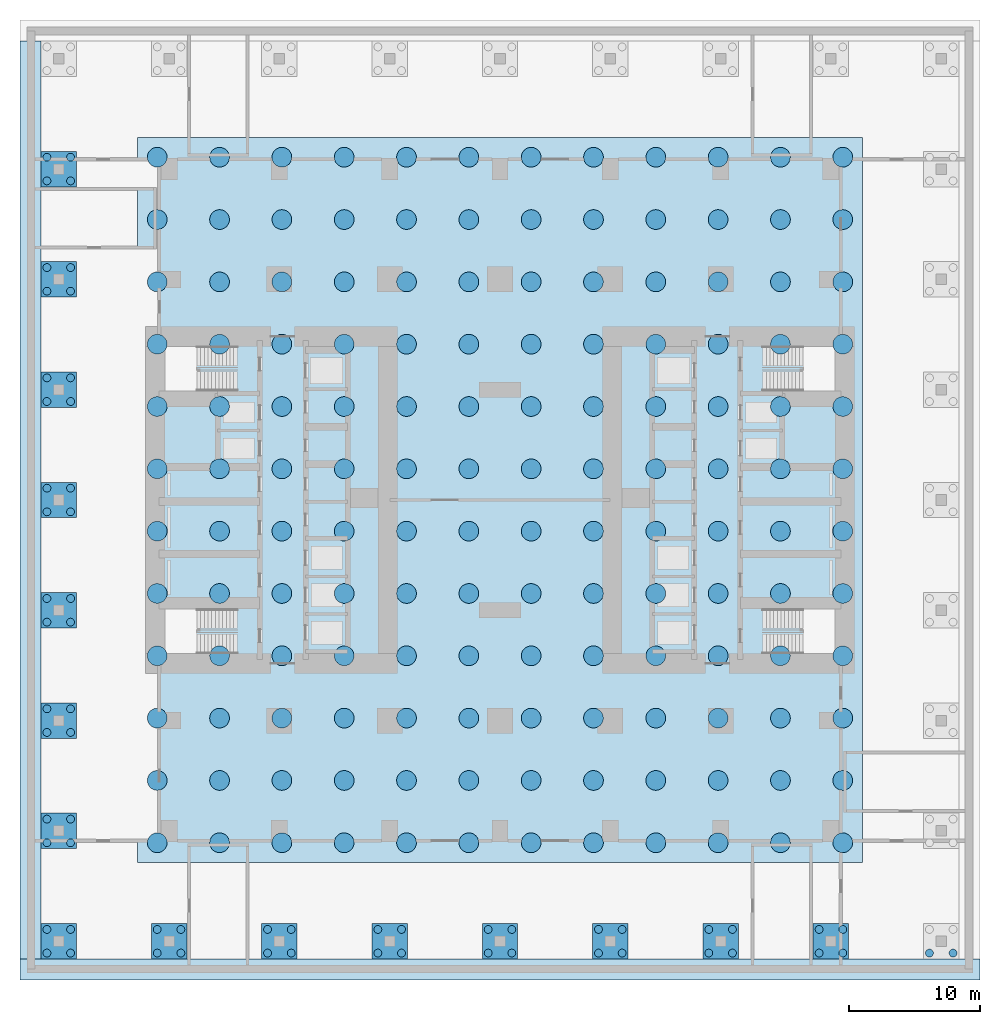
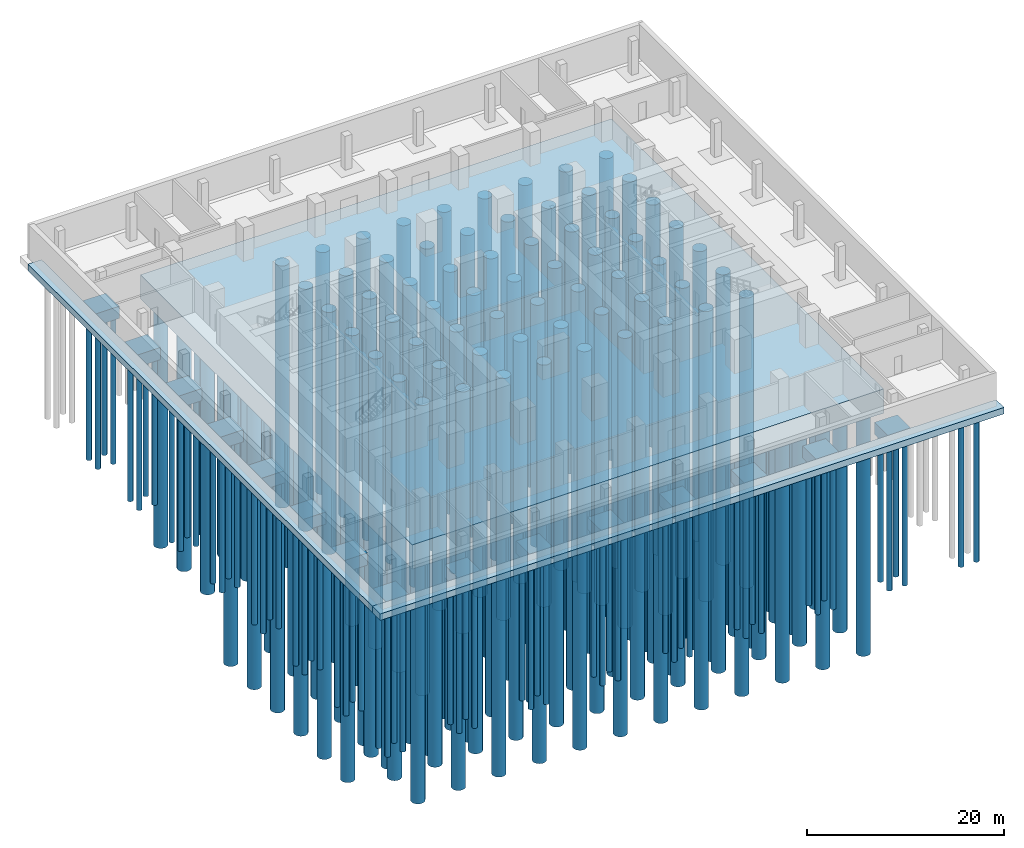
# One storey, part 1 of 11: 206 piles, 18 footings.
"""IFC4 building model written with IfcOpenShell, lengths in metres."""

from ifc_helpers import new_model, si_unit, direction, frame, origin, origin_2d, place, context, subcontext, project, spatial, polyline, circle, outline, extrude, material, type_object, element, save


model = new_model("IFC4")

# Units and contexts
model_context = context("Model", 3, precision=1e-05, world=origin(), true_north=direction((0.0, 1.0)))
body_context = subcontext(model_context, "Body", "Model", "MODEL_VIEW")
ifc_project = project(units=[si_unit("LENGTHUNIT", "METRE"), si_unit("AREAUNIT", "SQUARE_METRE"), si_unit("VOLUMEUNIT", "CUBIC_METRE"), si_unit("PLANEANGLEUNIT", "RADIAN"), si_unit("MASSUNIT", "GRAM", prefix="KILO")], contexts=[model_context])

# Site, building, storey
site_placement = place(None, origin())
site = spatial("IfcSite", under=ifc_project, at=site_placement, CompositionType="ELEMENT")
building_placement = place(site_placement, origin())
building = spatial("IfcBuilding", under=site, at=building_placement, Name="Claustro Exchange Tower", CompositionType="ELEMENT")
storey_placement = place(building_placement, frame((0.0, 0.0, -8.39990234375)))
storey = spatial("IfcBuildingStorey", under=building, at=storey_placement, Name="B2", CompositionType="ELEMENT", Elevation=-8.39990234375)

# Footings
ifc_material_1 = material(Name="Concrete HA-40 (C40/50)", Category="concrete")
footing_type_1 = type_object("IfcFootingType", Name="F1 piled raft 55200 square, 3000 deep", PredefinedType="PILE_CAP", material=ifc_material_1)
footing_1_placement = place(storey_placement, frame((0.0, 0.0, -3.0)))
element("IfcFooting", 1, at=footing_1_placement, inside=storey, type_object=footing_type_1, Name="Piled raft F1", PredefinedType="PILE_CAP", context=body_context, shape_type="SweptSolid", body=[
    extrude(outline(polyline([(52.800048828125, -2.39990234375), (52.800048828125, 52.800048828125), (-2.39990234375, 52.800048828125), (-2.39990234375, -2.39990234375), (52.800048828125, -2.39990234375)])), origin(), (0.0, 0.0, 1.0), 3.0),
])
ifc_material_2 = material(Name="Concrete HA-40 (C40/50)", Category="concrete")
footing_type_2 = type_object("IfcFootingType", Name="F2 pile cap 2700 x 2700 x 1500, four piles", PredefinedType="PILE_CAP", material=ifc_material_2)
footing_2_placement = place(storey_placement, frame((0.0, 0.0, -1.5)))
element("IfcFooting", 2, at=footing_2_placement, inside=storey, type_object=footing_type_2, Name="Pile cap F2 1+-8400/A+-8400", PredefinedType="PILE_CAP", context=body_context, shape_type="SweptSolid", body=[
    extrude(outline(polyline([(-7.050048828125, -9.75), (-7.050048828125, -7.050048828125), (-9.75, -7.050048828125), (-9.75, -9.75), (-7.050048828125, -9.75)])), origin(), (0.0, 0.0, 1.0), 1.5),
])
footing_3_placement = place(storey_placement, frame((0.0, 0.0, -1.5)))
element("IfcFooting", 3, at=footing_3_placement, inside=storey, type_object=footing_type_2, Name="Pile cap F2 1+-8400/A", PredefinedType="PILE_CAP", context=body_context, shape_type="SweptSolid", body=[
    extrude(outline(polyline([(-7.050048828125, -1.35009765625), (-7.050048828125, 1.35009765625), (-9.75, 1.35009765625), (-9.75, -1.35009765625), (-7.050048828125, -1.35009765625)])), origin(), (0.0, 0.0, 1.0), 1.5),
])
footing_4_placement = place(storey_placement, frame((0.0, 0.0, -1.5)))
element("IfcFooting", 4, at=footing_4_placement, inside=storey, type_object=footing_type_2, Name="Pile cap F2 1+-8400/B", PredefinedType="PILE_CAP", context=body_context, shape_type="SweptSolid", body=[
    extrude(outline(polyline([(-7.050048828125, 7.050048828125), (-7.050048828125, 9.75), (-9.75, 9.75), (-9.75, 7.050048828125), (-7.050048828125, 7.050048828125)])), origin(), (0.0, 0.0, 1.0), 1.5),
])
footing_5_placement = place(storey_placement, frame((0.0, 0.0, -1.5)))
element("IfcFooting", 5, at=footing_5_placement, inside=storey, type_object=footing_type_2, Name="Pile cap F2 1+-8400/C", PredefinedType="PILE_CAP", context=body_context, shape_type="SweptSolid", body=[
    extrude(outline(polyline([(-7.050048828125, 15.449951171875), (-7.050048828125, 18.14990234375), (-9.75, 18.14990234375), (-9.75, 15.449951171875), (-7.050048828125, 15.449951171875)])), origin(), (0.0, 0.0, 1.0), 1.5),
])
footing_6_placement = place(storey_placement, frame((0.0, 0.0, -1.5)))
element("IfcFooting", 6, at=footing_6_placement, inside=storey, type_object=footing_type_2, Name="Pile cap F2 1+-8400/D", PredefinedType="PILE_CAP", context=body_context, shape_type="SweptSolid", body=[
    extrude(outline(polyline([(-7.050048828125, 23.85009765625), (-7.050048828125, 26.550048828125), (-9.75, 26.550048828125), (-9.75, 23.85009765625), (-7.050048828125, 23.85009765625)])), origin(), (0.0, 0.0, 1.0), 1.5),
])
footing_7_placement = place(storey_placement, frame((0.0, 0.0, -1.5)))
element("IfcFooting", 7, at=footing_7_placement, inside=storey, type_object=footing_type_2, Name="Pile cap F2 1+-8400/E", PredefinedType="PILE_CAP", context=body_context, shape_type="SweptSolid", body=[
    extrude(outline(polyline([(-7.050048828125, 32.25), (-7.050048828125, 34.949951171875), (-9.75, 34.949951171875), (-9.75, 32.25), (-7.050048828125, 32.25)])), origin(), (0.0, 0.0, 1.0), 1.5),
])
footing_8_placement = place(storey_placement, frame((0.0, 0.0, -1.5)))
element("IfcFooting", 8, at=footing_8_placement, inside=storey, type_object=footing_type_2, Name="Pile cap F2 1+-8400/F", PredefinedType="PILE_CAP", context=body_context, shape_type="SweptSolid", body=[
    extrude(outline(polyline([(-7.050048828125, 40.64990234375), (-7.050048828125, 43.35009765625), (-9.75, 43.35009765625), (-9.75, 40.64990234375), (-7.050048828125, 40.64990234375)])), origin(), (0.0, 0.0, 1.0), 1.5),
])
footing_9_placement = place(storey_placement, frame((0.0, 0.0, -1.5)))
element("IfcFooting", 9, at=footing_9_placement, inside=storey, type_object=footing_type_2, Name="Pile cap F2 1+-8400/G", PredefinedType="PILE_CAP", context=body_context, shape_type="SweptSolid", body=[
    extrude(outline(polyline([(-7.050048828125, 49.050048828125), (-7.050048828125, 51.75), (-9.75, 51.75), (-9.75, 49.050048828125), (-7.050048828125, 49.050048828125)])), origin(), (0.0, 0.0, 1.0), 1.5),
])
footing_10_placement = place(storey_placement, frame((0.0, 0.0, -1.5)))
element("IfcFooting", 10, at=footing_10_placement, inside=storey, type_object=footing_type_2, Name="Pile cap F2 1/A+-8400", PredefinedType="PILE_CAP", context=body_context, shape_type="SweptSolid", body=[
    extrude(outline(polyline([(1.35009765625, -9.75), (1.35009765625, -7.050048828125), (-1.35009765625, -7.050048828125), (-1.35009765625, -9.75), (1.35009765625, -9.75)])), origin(), (0.0, 0.0, 1.0), 1.5),
])
footing_11_placement = place(storey_placement, frame((0.0, 0.0, -1.5)))
element("IfcFooting", 11, at=footing_11_placement, inside=storey, type_object=footing_type_2, Name="Pile cap F2 2/A+-8400", PredefinedType="PILE_CAP", context=body_context, shape_type="SweptSolid", body=[
    extrude(outline(polyline([(9.75, -9.75), (9.75, -7.050048828125), (7.050048828125, -7.050048828125), (7.050048828125, -9.75), (9.75, -9.75)])), origin(), (0.0, 0.0, 1.0), 1.5),
])
footing_12_placement = place(storey_placement, frame((0.0, 0.0, -1.5)))
element("IfcFooting", 12, at=footing_12_placement, inside=storey, type_object=footing_type_2, Name="Pile cap F2 3/A+-8400", PredefinedType="PILE_CAP", context=body_context, shape_type="SweptSolid", body=[
    extrude(outline(polyline([(18.14990234375, -9.75), (18.14990234375, -7.050048828125), (15.449951171875, -7.050048828125), (15.449951171875, -9.75), (18.14990234375, -9.75)])), origin(), (0.0, 0.0, 1.0), 1.5),
])
footing_13_placement = place(storey_placement, frame((0.0, 0.0, -1.5)))
element("IfcFooting", 13, at=footing_13_placement, inside=storey, type_object=footing_type_2, Name="Pile cap F2 4/A+-8400", PredefinedType="PILE_CAP", context=body_context, shape_type="SweptSolid", body=[
    extrude(outline(polyline([(26.550048828125, -9.75), (26.550048828125, -7.050048828125), (23.85009765625, -7.050048828125), (23.85009765625, -9.75), (26.550048828125, -9.75)])), origin(), (0.0, 0.0, 1.0), 1.5),
])
footing_14_placement = place(storey_placement, frame((0.0, 0.0, -1.5)))
element("IfcFooting", 14, at=footing_14_placement, inside=storey, type_object=footing_type_2, Name="Pile cap F2 5/A+-8400", PredefinedType="PILE_CAP", context=body_context, shape_type="SweptSolid", body=[
    extrude(outline(polyline([(34.949951171875, -9.75), (34.949951171875, -7.050048828125), (32.25, -7.050048828125), (32.25, -9.75), (34.949951171875, -9.75)])), origin(), (0.0, 0.0, 1.0), 1.5),
])
footing_15_placement = place(storey_placement, frame((0.0, 0.0, -1.5)))
element("IfcFooting", 15, at=footing_15_placement, inside=storey, type_object=footing_type_2, Name="Pile cap F2 6/A+-8400", PredefinedType="PILE_CAP", context=body_context, shape_type="SweptSolid", body=[
    extrude(outline(polyline([(43.35009765625, -9.75), (43.35009765625, -7.050048828125), (40.64990234375, -7.050048828125), (40.64990234375, -9.75), (43.35009765625, -9.75)])), origin(), (0.0, 0.0, 1.0), 1.5),
])
footing_16_placement = place(storey_placement, frame((0.0, 0.0, -1.5)))
element("IfcFooting", 16, at=footing_16_placement, inside=storey, type_object=footing_type_2, Name="Pile cap F2 7/A+-8400", PredefinedType="PILE_CAP", context=body_context, shape_type="SweptSolid", body=[
    extrude(outline(polyline([(51.75, -9.75), (51.75, -7.050048828125), (49.050048828125, -7.050048828125), (49.050048828125, -9.75), (51.75, -9.75)])), origin(), (0.0, 0.0, 1.0), 1.5),
])
ifc_material_3 = material(Name="Concrete HA-40 (C40/50)", Category="concrete")
footing_type_3 = type_object("IfcFootingType", Name="F3 strip footing 1600 wide, 800 deep", PredefinedType="STRIP_FOOTING", material=ifc_material_3)
footing_17_placement = place(storey_placement, frame((0.0, 0.0, -0.800048828125)))
element("IfcFooting", 17, at=footing_17_placement, inside=storey, type_object=footing_type_3, Name="Strip footing F3 S", PredefinedType="STRIP_FOOTING", context=body_context, shape_type="SweptSolid", body=[
    extrude(outline(polyline([(61.75, -11.35009765625), (61.75, -9.75), (-11.35009765625, -9.75), (-11.35009765625, -11.35009765625), (61.75, -11.35009765625)])), origin(), (0.0, 0.0, 1.0), 0.800048828125),
])
footing_18_placement = place(storey_placement, frame((0.0, 0.0, -0.800048828125)))
element("IfcFooting", 18, at=footing_18_placement, inside=storey, type_object=footing_type_3, Name="Strip footing F3 W", PredefinedType="STRIP_FOOTING", context=body_context, shape_type="SweptSolid", body=[
    extrude(outline(polyline([(-9.75, -9.75), (-9.75, 60.14990234375), (-11.35009765625, 60.14990234375), (-11.35009765625, -9.75), (-9.75, -9.75)])), origin(), (0.0, 0.0, 1.0), 0.800048828125),
])

# Piles
ifc_material_4 = material(Name="Concrete HA-40 (C40/50)", Category="concrete")
pile_type_1 = type_object("IfcPileType", Name="P1 1500 dia bored pile", PredefinedType="BORED", material=ifc_material_4)
for number, where, z_axis, x_axis, name in (
    (19, (-0.89990234375, -0.89990234375, -3.0), (0.0, 0.0, -1.0), (1.0, 0.0, 0.0), "Pile P1 raft 01-01"),
    (20, (-0.89990234375, 3.845458984375, -3.0), (0.0, 0.0, -1.0), (1.0, 0.0, 0.0), "Pile P1 raft 01-02"),
    (21, (-0.89990234375, 8.5908203125, -3.0), (0.0, 0.0, -1.0), (1.0, 0.0, 0.0), "Pile P1 raft 01-03"),
    (22, (-0.89990234375, 41.80908203125, -3.0), (0.0, 0.0, -1.0), (1.0, 0.0, 0.0), "Pile P1 raft 01-10"),
    (23, (-0.89990234375, 46.554443359375, -3.0), (0.0, 0.0, -1.0), (1.0, 0.0, 0.0), "Pile P1 raft 01-11"),
    (24, (-0.89990234375, 51.300048828125, -3.0), (0.0, 0.0, -1.0), (1.0, 0.0, 0.0), "Pile P1 raft 01-12"),
    (25, (3.845458984375, -0.89990234375, -3.0), (0.0, 0.0, -1.0), (1.0, 0.0, 0.0), "Pile P1 raft 02-01"),
    (26, (3.845458984375, 3.845458984375, -3.0), (0.0, 0.0, -1.0), (1.0, 0.0, 0.0), "Pile P1 raft 02-02"),
    (27, (3.845458984375, 8.5908203125, -3.0), (0.0, 0.0, -1.0), (1.0, 0.0, 0.0), "Pile P1 raft 02-03"),
    (28, (3.845458984375, 41.80908203125, -3.0), (0.0, 0.0, -1.0), (1.0, 0.0, 0.0), "Pile P1 raft 02-10"),
    (29, (3.845458984375, 46.554443359375, -3.0), (0.0, 0.0, -1.0), (1.0, 0.0, 0.0), "Pile P1 raft 02-11"),
    (30, (3.845458984375, 51.300048828125, -3.0), (0.0, 0.0, -1.0), (1.0, 0.0, 0.0), "Pile P1 raft 02-12"),
    (31, (8.5908203125, -0.89990234375, -3.0), (0.0, 0.0, -1.0), (1.0, 0.0, 0.0), "Pile P1 raft 03-01"),
    (32, (8.5908203125, 3.845458984375, -3.0), (0.0, 0.0, -1.0), (1.0, 0.0, 0.0), "Pile P1 raft 03-02"),
    (33, (8.5908203125, 8.5908203125, -3.0), (0.0, 0.0, -1.0), (1.0, 0.0, 0.0), "Pile P1 raft 03-03"),
    (34, (8.5908203125, 41.80908203125, -3.0), (0.0, 0.0, -1.0), (1.0, 0.0, 0.0), "Pile P1 raft 03-10"),
    (35, (8.5908203125, 46.554443359375, -3.0), (0.0, 0.0, -1.0), (1.0, 0.0, 0.0), "Pile P1 raft 03-11"),
    (36, (8.5908203125, 51.300048828125, -3.0), (0.0, 0.0, -1.0), (1.0, 0.0, 0.0), "Pile P1 raft 03-12"),
    (37, (13.33642578125, -0.89990234375, -3.0), (0.0, 0.0, -1.0), (1.0, 0.0, 0.0), "Pile P1 raft 04-01"),
    (38, (13.33642578125, 3.845458984375, -3.0), (0.0, 0.0, -1.0), (1.0, 0.0, 0.0), "Pile P1 raft 04-02"),
    (39, (13.33642578125, 8.5908203125, -3.0), (0.0, 0.0, -1.0), (1.0, 0.0, 0.0), "Pile P1 raft 04-03"),
    (40, (13.33642578125, 41.80908203125, -3.0), (0.0, 0.0, -1.0), (1.0, 0.0, 0.0), "Pile P1 raft 04-10"),
    (41, (13.33642578125, 46.554443359375, -3.0), (0.0, 0.0, -1.0), (1.0, 0.0, 0.0), "Pile P1 raft 04-11"),
    (42, (13.33642578125, 51.300048828125, -3.0), (0.0, 0.0, -1.0), (1.0, 0.0, 0.0), "Pile P1 raft 04-12"),
    (43, (18.081787109375, -0.89990234375, -3.0), (0.0, 0.0, -1.0), (1.0, 0.0, 0.0), "Pile P1 raft 05-01"),
    (44, (18.081787109375, 3.845458984375, -3.0), (0.0, 0.0, -1.0), (1.0, 0.0, 0.0), "Pile P1 raft 05-02"),
    (45, (18.081787109375, 8.5908203125, -3.0), (0.0, 0.0, -1.0), (1.0, 0.0, 0.0), "Pile P1 raft 05-03"),
    (46, (18.081787109375, 13.33642578125, -3.0), (0.0, 0.0, -1.0), (1.0, 0.0, 0.0), "Pile P1 raft 05-04"),
    (47, (18.081787109375, 18.081787109375, -3.0), (0.0, 0.0, -1.0), (1.0, 0.0, 0.0), "Pile P1 raft 05-05"),
    (48, (18.081787109375, 22.827392578125, -3.0), (0.0, 0.0, -1.0), (1.0, 0.0, 0.0), "Pile P1 raft 05-06"),
    (49, (18.081787109375, 27.57275390625, -3.0), (0.0, 0.0, -1.0), (1.0, 0.0, 0.0), "Pile P1 raft 05-07"),
    (50, (18.081787109375, 32.318115234375, -3.0), (0.0, 0.0, -1.0), (1.0, 0.0, 0.0), "Pile P1 raft 05-08"),
    (51, (18.081787109375, 37.063720703125, -3.0), (0.0, 0.0, -1.0), (1.0, 0.0, 0.0), "Pile P1 raft 05-09"),
    (52, (18.081787109375, 41.80908203125, -3.0), (0.0, 0.0, -1.0), (1.0, 0.0, 0.0), "Pile P1 raft 05-10"),
    (53, (18.081787109375, 46.554443359375, -3.0), (0.0, 0.0, -1.0), (1.0, 0.0, 0.0), "Pile P1 raft 05-11"),
    (54, (18.081787109375, 51.300048828125, -3.0), (0.0, 0.0, -1.0), (1.0, 0.0, 0.0), "Pile P1 raft 05-12"),
    (55, (22.827392578125, -0.89990234375, -3.0), (0.0, 0.0, -1.0), (1.0, 0.0, 0.0), "Pile P1 raft 06-01"),
    (56, (22.827392578125, 3.845458984375, -3.0), (0.0, 0.0, -1.0), (1.0, 0.0, 0.0), "Pile P1 raft 06-02"),
    (57, (22.827392578125, 8.5908203125, -3.0), (0.0, 0.0, -1.0), (1.0, 0.0, 0.0), "Pile P1 raft 06-03"),
    (58, (22.827392578125, 13.33642578125, -3.0), (0.0, 0.0, -1.0), (1.0, 0.0, 0.0), "Pile P1 raft 06-04"),
    (59, (22.827392578125, 18.081787109375, -3.0), (0.0, 0.0, -1.0), (1.0, 0.0, 0.0), "Pile P1 raft 06-05"),
    (60, (22.827392578125, 22.827392578125, -3.0), (0.0, 0.0, -1.0), (1.0, 0.0, 0.0), "Pile P1 raft 06-06"),
    (61, (22.827392578125, 27.57275390625, -3.0), (0.0, 0.0, -1.0), (1.0, 0.0, 0.0), "Pile P1 raft 06-07"),
    (62, (22.827392578125, 32.318115234375, -3.0), (0.0, 0.0, -1.0), (1.0, 0.0, 0.0), "Pile P1 raft 06-08"),
    (63, (22.827392578125, 37.063720703125, -3.0), (0.0, 0.0, -1.0), (1.0, 0.0, 0.0), "Pile P1 raft 06-09"),
    (64, (22.827392578125, 41.80908203125, -3.0), (0.0, 0.0, -1.0), (1.0, 0.0, 0.0), "Pile P1 raft 06-10"),
    (65, (22.827392578125, 46.554443359375, -3.0), (0.0, 0.0, -1.0), (1.0, 0.0, 0.0), "Pile P1 raft 06-11"),
    (66, (22.827392578125, 51.300048828125, -3.0), (0.0, 0.0, -1.0), (1.0, 0.0, 0.0), "Pile P1 raft 06-12"),
    (67, (27.57275390625, -0.89990234375, -3.0), (0.0, 0.0, -1.0), (1.0, 0.0, 0.0), "Pile P1 raft 07-01"),
    (68, (27.57275390625, 3.845458984375, -3.0), (0.0, 0.0, -1.0), (1.0, 0.0, 0.0), "Pile P1 raft 07-02"),
    (69, (27.57275390625, 8.5908203125, -3.0), (0.0, 0.0, -1.0), (1.0, 0.0, 0.0), "Pile P1 raft 07-03"),
    (70, (27.57275390625, 13.33642578125, -3.0), (0.0, 0.0, -1.0), (1.0, 0.0, 0.0), "Pile P1 raft 07-04"),
    (71, (27.57275390625, 18.081787109375, -3.0), (0.0, 0.0, -1.0), (1.0, 0.0, 0.0), "Pile P1 raft 07-05"),
    (72, (27.57275390625, 22.827392578125, -3.0), (0.0, 0.0, -1.0), (1.0, 0.0, 0.0), "Pile P1 raft 07-06"),
    (73, (27.57275390625, 27.57275390625, -3.0), (0.0, 0.0, -1.0), (1.0, 0.0, 0.0), "Pile P1 raft 07-07"),
    (74, (27.57275390625, 32.318115234375, -3.0), (0.0, 0.0, -1.0), (1.0, 0.0, 0.0), "Pile P1 raft 07-08"),
    (75, (27.57275390625, 37.063720703125, -3.0), (0.0, 0.0, -1.0), (1.0, 0.0, 0.0), "Pile P1 raft 07-09"),
    (76, (27.57275390625, 41.80908203125, -3.0), (0.0, 0.0, -1.0), (1.0, 0.0, 0.0), "Pile P1 raft 07-10"),
    (77, (27.57275390625, 46.554443359375, -3.0), (0.0, 0.0, -1.0), (1.0, 0.0, 0.0), "Pile P1 raft 07-11"),
    (78, (27.57275390625, 51.300048828125, -3.0), (0.0, 0.0, -1.0), (1.0, 0.0, 0.0), "Pile P1 raft 07-12"),
    (79, (32.318115234375, -0.89990234375, -3.0), (0.0, 0.0, -1.0), (1.0, 0.0, 0.0), "Pile P1 raft 08-01"),
    (80, (32.318115234375, 3.845458984375, -3.0), (0.0, 0.0, -1.0), (1.0, 0.0, 0.0), "Pile P1 raft 08-02"),
    (81, (32.318115234375, 8.5908203125, -3.0), (0.0, 0.0, -1.0), (1.0, 0.0, 0.0), "Pile P1 raft 08-03"),
    (82, (32.318115234375, 13.33642578125, -3.0), (0.0, 0.0, -1.0), (1.0, 0.0, 0.0), "Pile P1 raft 08-04"),
    (83, (32.318115234375, 18.081787109375, -3.0), (0.0, 0.0, -1.0), (1.0, 0.0, 0.0), "Pile P1 raft 08-05"),
    (84, (32.318115234375, 22.827392578125, -3.0), (0.0, 0.0, -1.0), (1.0, 0.0, 0.0), "Pile P1 raft 08-06"),
    (85, (32.318115234375, 27.57275390625, -3.0), (0.0, 0.0, -1.0), (1.0, 0.0, 0.0), "Pile P1 raft 08-07"),
    (86, (32.318115234375, 32.318115234375, -3.0), (0.0, 0.0, -1.0), (1.0, 0.0, 0.0), "Pile P1 raft 08-08"),
    (87, (32.318115234375, 37.063720703125, -3.0), (0.0, 0.0, -1.0), (1.0, 0.0, 0.0), "Pile P1 raft 08-09"),
    (88, (32.318115234375, 41.80908203125, -3.0), (0.0, 0.0, -1.0), (1.0, 0.0, 0.0), "Pile P1 raft 08-10"),
    (89, (32.318115234375, 46.554443359375, -3.0), (0.0, 0.0, -1.0), (1.0, 0.0, 0.0), "Pile P1 raft 08-11"),
    (90, (32.318115234375, 51.300048828125, -3.0), (0.0, 0.0, -1.0), (1.0, 0.0, 0.0), "Pile P1 raft 08-12"),
    (91, (37.063720703125, -0.89990234375, -3.0), (0.0, 0.0, -1.0), (1.0, 0.0, 0.0), "Pile P1 raft 09-01"),
    (92, (37.063720703125, 3.845458984375, -3.0), (0.0, 0.0, -1.0), (1.0, 0.0, 0.0), "Pile P1 raft 09-02"),
    (93, (37.063720703125, 8.5908203125, -3.0), (0.0, 0.0, -1.0), (1.0, 0.0, 0.0), "Pile P1 raft 09-03"),
    (94, (37.063720703125, 41.80908203125, -3.0), (0.0, 0.0, -1.0), (1.0, 0.0, 0.0), "Pile P1 raft 09-10"),
    (95, (37.063720703125, 46.554443359375, -3.0), (0.0, 0.0, -1.0), (1.0, 0.0, 0.0), "Pile P1 raft 09-11"),
    (96, (37.063720703125, 51.300048828125, -3.0), (0.0, 0.0, -1.0), (1.0, 0.0, 0.0), "Pile P1 raft 09-12"),
    (97, (41.80908203125, -0.89990234375, -3.0), (0.0, 0.0, -1.0), (1.0, 0.0, 0.0), "Pile P1 raft 10-01"),
    (98, (41.80908203125, 3.845458984375, -3.0), (0.0, 0.0, -1.0), (1.0, 0.0, 0.0), "Pile P1 raft 10-02"),
    (99, (41.80908203125, 8.5908203125, -3.0), (0.0, 0.0, -1.0), (1.0, 0.0, 0.0), "Pile P1 raft 10-03"),
    (100, (41.80908203125, 41.80908203125, -3.0), (0.0, 0.0, -1.0), (1.0, 0.0, 0.0), "Pile P1 raft 10-10"),
    (101, (41.80908203125, 46.554443359375, -3.0), (0.0, 0.0, -1.0), (1.0, 0.0, 0.0), "Pile P1 raft 10-11"),
    (102, (41.80908203125, 51.300048828125, -3.0), (0.0, 0.0, -1.0), (1.0, 0.0, 0.0), "Pile P1 raft 10-12"),
    (103, (46.554443359375, -0.89990234375, -3.0), (0.0, 0.0, -1.0), (1.0, 0.0, 0.0), "Pile P1 raft 11-01"),
    (104, (46.554443359375, 3.845458984375, -3.0), (0.0, 0.0, -1.0), (1.0, 0.0, 0.0), "Pile P1 raft 11-02"),
    (105, (46.554443359375, 8.5908203125, -3.0), (0.0, 0.0, -1.0), (1.0, 0.0, 0.0), "Pile P1 raft 11-03"),
    (106, (46.554443359375, 41.80908203125, -3.0), (0.0, 0.0, -1.0), (1.0, 0.0, 0.0), "Pile P1 raft 11-10"),
    (107, (46.554443359375, 46.554443359375, -3.0), (0.0, 0.0, -1.0), (1.0, 0.0, 0.0), "Pile P1 raft 11-11"),
    (108, (46.554443359375, 51.300048828125, -3.0), (0.0, 0.0, -1.0), (1.0, 0.0, 0.0), "Pile P1 raft 11-12"),
    (109, (51.300048828125, -0.89990234375, -3.0), (0.0, 0.0, -1.0), (1.0, 0.0, 0.0), "Pile P1 raft 12-01"),
    (110, (51.300048828125, 3.845458984375, -3.0), (0.0, 0.0, -1.0), (1.0, 0.0, 0.0), "Pile P1 raft 12-02"),
    (111, (51.300048828125, 8.5908203125, -3.0), (0.0, 0.0, -1.0), (1.0, 0.0, 0.0), "Pile P1 raft 12-03"),
    (112, (51.300048828125, 41.80908203125, -3.0), (0.0, 0.0, -1.0), (1.0, 0.0, 0.0), "Pile P1 raft 12-10"),
    (113, (51.300048828125, 46.554443359375, -3.0), (0.0, 0.0, -1.0), (1.0, 0.0, 0.0), "Pile P1 raft 12-11"),
    (114, (51.300048828125, 51.300048828125, -3.0), (0.0, 0.0, -1.0), (1.0, 0.0, 0.0), "Pile P1 raft 12-12"),
):
    element("IfcPile", number, at=place(storey_placement, frame(where, z_axis=z_axis, x_axis=x_axis)), inside=storey, type_object=pile_type_1, Name=name, PredefinedType="BORED", context=body_context, shape_type="SweptSolid", body=[
        extrude(circle(Radius=0.75, at=origin_2d()), origin(), (0.0, 0.0, 1.0), 30.0),
    ])
ifc_material_5 = material(Name="Concrete HA-40 (C40/50)", Category="concrete")
pile_type_2 = type_object("IfcPileType", Name="P2 600 dia bored pile", PredefinedType="BORED", material=ifc_material_5)
for number, where, z_axis, x_axis, name in (
    (115, (-9.300048828125, -9.300048828125, -1.5), (0.0, 0.0, -1.0), (1.0, 0.0, 0.0), "Pile P2 1+-8400/A+-8400 1"),
    (116, (-7.5, -9.300048828125, -1.5), (0.0, 0.0, -1.0), (1.0, 0.0, 0.0), "Pile P2 1+-8400/A+-8400 2"),
    (117, (-9.300048828125, -7.5, -1.5), (0.0, 0.0, -1.0), (1.0, 0.0, 0.0), "Pile P2 1+-8400/A+-8400 3"),
    (118, (-7.5, -7.5, -1.5), (0.0, 0.0, -1.0), (1.0, 0.0, 0.0), "Pile P2 1+-8400/A+-8400 4"),
    (119, (-9.300048828125, -0.89990234375, -1.5), (0.0, 0.0, -1.0), (1.0, 0.0, 0.0), "Pile P2 1+-8400/A 1"),
    (120, (-7.5, -0.89990234375, -1.5), (0.0, 0.0, -1.0), (1.0, 0.0, 0.0), "Pile P2 1+-8400/A 2"),
    (121, (-9.300048828125, 0.89990234375, -1.5), (0.0, 0.0, -1.0), (1.0, 0.0, 0.0), "Pile P2 1+-8400/A 3"),
    (122, (-7.5, 0.89990234375, -1.5), (0.0, 0.0, -1.0), (1.0, 0.0, 0.0), "Pile P2 1+-8400/A 4"),
    (123, (-9.300048828125, 7.5, -1.5), (0.0, 0.0, -1.0), (1.0, 0.0, 0.0), "Pile P2 1+-8400/B 1"),
    (124, (-7.5, 7.5, -1.5), (0.0, 0.0, -1.0), (1.0, 0.0, 0.0), "Pile P2 1+-8400/B 2"),
    (125, (-9.300048828125, 9.300048828125, -1.5), (0.0, 0.0, -1.0), (1.0, 0.0, 0.0), "Pile P2 1+-8400/B 3"),
    (126, (-7.5, 9.300048828125, -1.5), (0.0, 0.0, -1.0), (1.0, 0.0, 0.0), "Pile P2 1+-8400/B 4"),
    (127, (-9.300048828125, 15.89990234375, -1.5), (0.0, 0.0, -1.0), (1.0, 0.0, 0.0), "Pile P2 1+-8400/C 1"),
    (128, (-7.5, 15.89990234375, -1.5), (0.0, 0.0, -1.0), (1.0, 0.0, 0.0), "Pile P2 1+-8400/C 2"),
    (129, (-9.300048828125, 17.699951171875, -1.5), (0.0, 0.0, -1.0), (1.0, 0.0, 0.0), "Pile P2 1+-8400/C 3"),
    (130, (-7.5, 17.699951171875, -1.5), (0.0, 0.0, -1.0), (1.0, 0.0, 0.0), "Pile P2 1+-8400/C 4"),
    (131, (-9.300048828125, 24.300048828125, -1.5), (0.0, 0.0, -1.0), (1.0, 0.0, 0.0), "Pile P2 1+-8400/D 1"),
    (132, (-7.5, 24.300048828125, -1.5), (0.0, 0.0, -1.0), (1.0, 0.0, 0.0), "Pile P2 1+-8400/D 2"),
    (133, (-9.300048828125, 26.10009765625, -1.5), (0.0, 0.0, -1.0), (1.0, 0.0, 0.0), "Pile P2 1+-8400/D 3"),
    (134, (-7.5, 26.10009765625, -1.5), (0.0, 0.0, -1.0), (1.0, 0.0, 0.0), "Pile P2 1+-8400/D 4"),
    (135, (-9.300048828125, 32.699951171875, -1.5), (0.0, 0.0, -1.0), (1.0, 0.0, 0.0), "Pile P2 1+-8400/E 1"),
    (136, (-7.5, 32.699951171875, -1.5), (0.0, 0.0, -1.0), (1.0, 0.0, 0.0), "Pile P2 1+-8400/E 2"),
    (137, (-9.300048828125, 34.5, -1.5), (0.0, 0.0, -1.0), (1.0, 0.0, 0.0), "Pile P2 1+-8400/E 3"),
    (138, (-7.5, 34.5, -1.5), (0.0, 0.0, -1.0), (1.0, 0.0, 0.0), "Pile P2 1+-8400/E 4"),
    (139, (-9.300048828125, 41.10009765625, -1.5), (0.0, 0.0, -1.0), (1.0, 0.0, 0.0), "Pile P2 1+-8400/F 1"),
    (140, (-7.5, 41.10009765625, -1.5), (0.0, 0.0, -1.0), (1.0, 0.0, 0.0), "Pile P2 1+-8400/F 2"),
    (141, (-9.300048828125, 42.89990234375, -1.5), (0.0, 0.0, -1.0), (1.0, 0.0, 0.0), "Pile P2 1+-8400/F 3"),
    (142, (-7.5, 42.89990234375, -1.5), (0.0, 0.0, -1.0), (1.0, 0.0, 0.0), "Pile P2 1+-8400/F 4"),
    (143, (-9.300048828125, 49.5, -1.5), (0.0, 0.0, -1.0), (1.0, 0.0, 0.0), "Pile P2 1+-8400/G 1"),
    (144, (-7.5, 49.5, -1.5), (0.0, 0.0, -1.0), (1.0, 0.0, 0.0), "Pile P2 1+-8400/G 2"),
    (145, (-9.300048828125, 51.300048828125, -1.5), (0.0, 0.0, -1.0), (1.0, 0.0, 0.0), "Pile P2 1+-8400/G 3"),
    (146, (-7.5, 51.300048828125, -1.5), (0.0, 0.0, -1.0), (1.0, 0.0, 0.0), "Pile P2 1+-8400/G 4"),
    (147, (-0.89990234375, -9.300048828125, -1.5), (0.0, 0.0, -1.0), (1.0, 0.0, 0.0), "Pile P2 1/A+-8400 1"),
    (148, (0.89990234375, -9.300048828125, -1.5), (0.0, 0.0, -1.0), (1.0, 0.0, 0.0), "Pile P2 1/A+-8400 2"),
    (149, (-0.89990234375, -7.5, -1.5), (0.0, 0.0, -1.0), (1.0, 0.0, 0.0), "Pile P2 1/A+-8400 3"),
    (150, (0.89990234375, -7.5, -1.5), (0.0, 0.0, -1.0), (1.0, 0.0, 0.0), "Pile P2 1/A+-8400 4"),
    (151, (7.5, -9.300048828125, -1.5), (0.0, 0.0, -1.0), (1.0, 0.0, 0.0), "Pile P2 2/A+-8400 1"),
    (152, (9.300048828125, -9.300048828125, -1.5), (0.0, 0.0, -1.0), (1.0, 0.0, 0.0), "Pile P2 2/A+-8400 2"),
    (153, (7.5, -7.5, -1.5), (0.0, 0.0, -1.0), (1.0, 0.0, 0.0), "Pile P2 2/A+-8400 3"),
    (154, (9.300048828125, -7.5, -1.5), (0.0, 0.0, -1.0), (1.0, 0.0, 0.0), "Pile P2 2/A+-8400 4"),
    (155, (15.89990234375, -9.300048828125, -1.5), (0.0, 0.0, -1.0), (1.0, 0.0, 0.0), "Pile P2 3/A+-8400 1"),
    (156, (17.699951171875, -9.300048828125, -1.5), (0.0, 0.0, -1.0), (1.0, 0.0, 0.0), "Pile P2 3/A+-8400 2"),
    (157, (15.89990234375, -7.5, -1.5), (0.0, 0.0, -1.0), (1.0, 0.0, 0.0), "Pile P2 3/A+-8400 3"),
    (158, (17.699951171875, -7.5, -1.5), (0.0, 0.0, -1.0), (1.0, 0.0, 0.0), "Pile P2 3/A+-8400 4"),
    (159, (24.300048828125, -9.300048828125, -1.5), (0.0, 0.0, -1.0), (1.0, 0.0, 0.0), "Pile P2 4/A+-8400 1"),
    (160, (26.10009765625, -9.300048828125, -1.5), (0.0, 0.0, -1.0), (1.0, 0.0, 0.0), "Pile P2 4/A+-8400 2"),
    (161, (24.300048828125, -7.5, -1.5), (0.0, 0.0, -1.0), (1.0, 0.0, 0.0), "Pile P2 4/A+-8400 3"),
    (162, (26.10009765625, -7.5, -1.5), (0.0, 0.0, -1.0), (1.0, 0.0, 0.0), "Pile P2 4/A+-8400 4"),
    (163, (32.699951171875, -9.300048828125, -1.5), (0.0, 0.0, -1.0), (1.0, 0.0, 0.0), "Pile P2 5/A+-8400 1"),
    (164, (34.5, -9.300048828125, -1.5), (0.0, 0.0, -1.0), (1.0, 0.0, 0.0), "Pile P2 5/A+-8400 2"),
    (165, (32.699951171875, -7.5, -1.5), (0.0, 0.0, -1.0), (1.0, 0.0, 0.0), "Pile P2 5/A+-8400 3"),
    (166, (34.5, -7.5, -1.5), (0.0, 0.0, -1.0), (1.0, 0.0, 0.0), "Pile P2 5/A+-8400 4"),
    (167, (41.10009765625, -9.300048828125, -1.5), (0.0, 0.0, -1.0), (1.0, 0.0, 0.0), "Pile P2 6/A+-8400 1"),
    (168, (42.89990234375, -9.300048828125, -1.5), (0.0, 0.0, -1.0), (1.0, 0.0, 0.0), "Pile P2 6/A+-8400 2"),
    (169, (41.10009765625, -7.5, -1.5), (0.0, 0.0, -1.0), (1.0, 0.0, 0.0), "Pile P2 6/A+-8400 3"),
    (170, (42.89990234375, -7.5, -1.5), (0.0, 0.0, -1.0), (1.0, 0.0, 0.0), "Pile P2 6/A+-8400 4"),
    (171, (49.5, -9.300048828125, -1.5), (0.0, 0.0, -1.0), (1.0, 0.0, 0.0), "Pile P2 7/A+-8400 1"),
    (172, (51.300048828125, -9.300048828125, -1.5), (0.0, 0.0, -1.0), (1.0, 0.0, 0.0), "Pile P2 7/A+-8400 2"),
    (173, (49.5, -7.5, -1.5), (0.0, 0.0, -1.0), (1.0, 0.0, 0.0), "Pile P2 7/A+-8400 3"),
    (174, (51.300048828125, -7.5, -1.5), (0.0, 0.0, -1.0), (1.0, 0.0, 0.0), "Pile P2 7/A+-8400 4"),
    (175, (57.89990234375, -9.300048828125, -1.5), (0.0, 0.0, -1.0), (1.0, 0.0, 0.0), "Pile P2 7+8400/A+-8400 1"),
    (176, (59.699951171875, -9.300048828125, -1.5), (0.0, 0.0, -1.0), (1.0, 0.0, 0.0), "Pile P2 7+8400/A+-8400 2"),
):
    element("IfcPile", number, at=place(storey_placement, frame(where, z_axis=z_axis, x_axis=x_axis)), inside=storey, type_object=pile_type_2, Name=name, PredefinedType="BORED", context=body_context, shape_type="SweptSolid", body=[
        extrude(circle(Radius=0.300048828125, at=origin_2d()), origin(), (0.0, 0.0, 1.0), 18.0),
    ])
ifc_material_6 = material(Name="Concrete HA-40 (C40/50)", Category="concrete")
pile_type_3 = type_object("IfcPileType", Name="P3 1500 dia bored pile under the cores", PredefinedType="BORED", material=ifc_material_6)
for number, where, z_axis, x_axis, name in (
    (177, (-0.89990234375, 13.33642578125, -3.0), (0.0, 0.0, -1.0), (1.0, 0.0, 0.0), "Pile P3 raft 01-04"),
    (178, (-0.89990234375, 18.081787109375, -3.0), (0.0, 0.0, -1.0), (1.0, 0.0, 0.0), "Pile P3 raft 01-05"),
    (179, (-0.89990234375, 22.827392578125, -3.0), (0.0, 0.0, -1.0), (1.0, 0.0, 0.0), "Pile P3 raft 01-06"),
    (180, (-0.89990234375, 27.57275390625, -3.0), (0.0, 0.0, -1.0), (1.0, 0.0, 0.0), "Pile P3 raft 01-07"),
    (181, (-0.89990234375, 32.318115234375, -3.0), (0.0, 0.0, -1.0), (1.0, 0.0, 0.0), "Pile P3 raft 01-08"),
    (182, (-0.89990234375, 37.063720703125, -3.0), (0.0, 0.0, -1.0), (1.0, 0.0, 0.0), "Pile P3 raft 01-09"),
    (183, (3.845458984375, 13.33642578125, -3.0), (0.0, 0.0, -1.0), (1.0, 0.0, 0.0), "Pile P3 raft 02-04"),
    (184, (3.845458984375, 18.081787109375, -3.0), (0.0, 0.0, -1.0), (1.0, 0.0, 0.0), "Pile P3 raft 02-05"),
    (185, (3.845458984375, 22.827392578125, -3.0), (0.0, 0.0, -1.0), (1.0, 0.0, 0.0), "Pile P3 raft 02-06"),
    (186, (3.845458984375, 27.57275390625, -3.0), (0.0, 0.0, -1.0), (1.0, 0.0, 0.0), "Pile P3 raft 02-07"),
    (187, (3.845458984375, 32.318115234375, -3.0), (0.0, 0.0, -1.0), (1.0, 0.0, 0.0), "Pile P3 raft 02-08"),
    (188, (3.845458984375, 37.063720703125, -3.0), (0.0, 0.0, -1.0), (1.0, 0.0, 0.0), "Pile P3 raft 02-09"),
    (189, (8.5908203125, 13.33642578125, -3.0), (0.0, 0.0, -1.0), (1.0, 0.0, 0.0), "Pile P3 raft 03-04"),
    (190, (8.5908203125, 18.081787109375, -3.0), (0.0, 0.0, -1.0), (1.0, 0.0, 0.0), "Pile P3 raft 03-05"),
    (191, (8.5908203125, 22.827392578125, -3.0), (0.0, 0.0, -1.0), (1.0, 0.0, 0.0), "Pile P3 raft 03-06"),
    (192, (8.5908203125, 27.57275390625, -3.0), (0.0, 0.0, -1.0), (1.0, 0.0, 0.0), "Pile P3 raft 03-07"),
    (193, (8.5908203125, 32.318115234375, -3.0), (0.0, 0.0, -1.0), (1.0, 0.0, 0.0), "Pile P3 raft 03-08"),
    (194, (8.5908203125, 37.063720703125, -3.0), (0.0, 0.0, -1.0), (1.0, 0.0, 0.0), "Pile P3 raft 03-09"),
    (195, (13.33642578125, 13.33642578125, -3.0), (0.0, 0.0, -1.0), (1.0, 0.0, 0.0), "Pile P3 raft 04-04"),
    (196, (13.33642578125, 18.081787109375, -3.0), (0.0, 0.0, -1.0), (1.0, 0.0, 0.0), "Pile P3 raft 04-05"),
    (197, (13.33642578125, 22.827392578125, -3.0), (0.0, 0.0, -1.0), (1.0, 0.0, 0.0), "Pile P3 raft 04-06"),
    (198, (13.33642578125, 27.57275390625, -3.0), (0.0, 0.0, -1.0), (1.0, 0.0, 0.0), "Pile P3 raft 04-07"),
    (199, (13.33642578125, 32.318115234375, -3.0), (0.0, 0.0, -1.0), (1.0, 0.0, 0.0), "Pile P3 raft 04-08"),
    (200, (13.33642578125, 37.063720703125, -3.0), (0.0, 0.0, -1.0), (1.0, 0.0, 0.0), "Pile P3 raft 04-09"),
    (201, (37.063720703125, 13.33642578125, -3.0), (0.0, 0.0, -1.0), (1.0, 0.0, 0.0), "Pile P3 raft 09-04"),
    (202, (37.063720703125, 18.081787109375, -3.0), (0.0, 0.0, -1.0), (1.0, 0.0, 0.0), "Pile P3 raft 09-05"),
    (203, (37.063720703125, 22.827392578125, -3.0), (0.0, 0.0, -1.0), (1.0, 0.0, 0.0), "Pile P3 raft 09-06"),
    (204, (37.063720703125, 27.57275390625, -3.0), (0.0, 0.0, -1.0), (1.0, 0.0, 0.0), "Pile P3 raft 09-07"),
    (205, (37.063720703125, 32.318115234375, -3.0), (0.0, 0.0, -1.0), (1.0, 0.0, 0.0), "Pile P3 raft 09-08"),
    (206, (37.063720703125, 37.063720703125, -3.0), (0.0, 0.0, -1.0), (1.0, 0.0, 0.0), "Pile P3 raft 09-09"),
    (207, (41.80908203125, 13.33642578125, -3.0), (0.0, 0.0, -1.0), (1.0, 0.0, 0.0), "Pile P3 raft 10-04"),
    (208, (41.80908203125, 18.081787109375, -3.0), (0.0, 0.0, -1.0), (1.0, 0.0, 0.0), "Pile P3 raft 10-05"),
    (209, (41.80908203125, 22.827392578125, -3.0), (0.0, 0.0, -1.0), (1.0, 0.0, 0.0), "Pile P3 raft 10-06"),
    (210, (41.80908203125, 27.57275390625, -3.0), (0.0, 0.0, -1.0), (1.0, 0.0, 0.0), "Pile P3 raft 10-07"),
    (211, (41.80908203125, 32.318115234375, -3.0), (0.0, 0.0, -1.0), (1.0, 0.0, 0.0), "Pile P3 raft 10-08"),
    (212, (41.80908203125, 37.063720703125, -3.0), (0.0, 0.0, -1.0), (1.0, 0.0, 0.0), "Pile P3 raft 10-09"),
    (213, (46.554443359375, 13.33642578125, -3.0), (0.0, 0.0, -1.0), (1.0, 0.0, 0.0), "Pile P3 raft 11-04"),
    (214, (46.554443359375, 18.081787109375, -3.0), (0.0, 0.0, -1.0), (1.0, 0.0, 0.0), "Pile P3 raft 11-05"),
    (215, (46.554443359375, 22.827392578125, -3.0), (0.0, 0.0, -1.0), (1.0, 0.0, 0.0), "Pile P3 raft 11-06"),
    (216, (46.554443359375, 27.57275390625, -3.0), (0.0, 0.0, -1.0), (1.0, 0.0, 0.0), "Pile P3 raft 11-07"),
    (217, (46.554443359375, 32.318115234375, -3.0), (0.0, 0.0, -1.0), (1.0, 0.0, 0.0), "Pile P3 raft 11-08"),
    (218, (46.554443359375, 37.063720703125, -3.0), (0.0, 0.0, -1.0), (1.0, 0.0, 0.0), "Pile P3 raft 11-09"),
    (219, (51.300048828125, 13.33642578125, -3.0), (0.0, 0.0, -1.0), (1.0, 0.0, 0.0), "Pile P3 raft 12-04"),
    (220, (51.300048828125, 18.081787109375, -3.0), (0.0, 0.0, -1.0), (1.0, 0.0, 0.0), "Pile P3 raft 12-05"),
    (221, (51.300048828125, 22.827392578125, -3.0), (0.0, 0.0, -1.0), (1.0, 0.0, 0.0), "Pile P3 raft 12-06"),
    (222, (51.300048828125, 27.57275390625, -3.0), (0.0, 0.0, -1.0), (1.0, 0.0, 0.0), "Pile P3 raft 12-07"),
    (223, (51.300048828125, 32.318115234375, -3.0), (0.0, 0.0, -1.0), (1.0, 0.0, 0.0), "Pile P3 raft 12-08"),
    (224, (51.300048828125, 37.063720703125, -3.0), (0.0, 0.0, -1.0), (1.0, 0.0, 0.0), "Pile P3 raft 12-09"),
):
    element("IfcPile", number, at=place(storey_placement, frame(where, z_axis=z_axis, x_axis=x_axis)), inside=storey, type_object=pile_type_3, Name=name, PredefinedType="BORED", context=body_context, shape_type="SweptSolid", body=[
        extrude(circle(Radius=0.75, at=origin_2d()), origin(), (0.0, 0.0, 1.0), 36.0),
    ])

save(model, "model.ifc")
